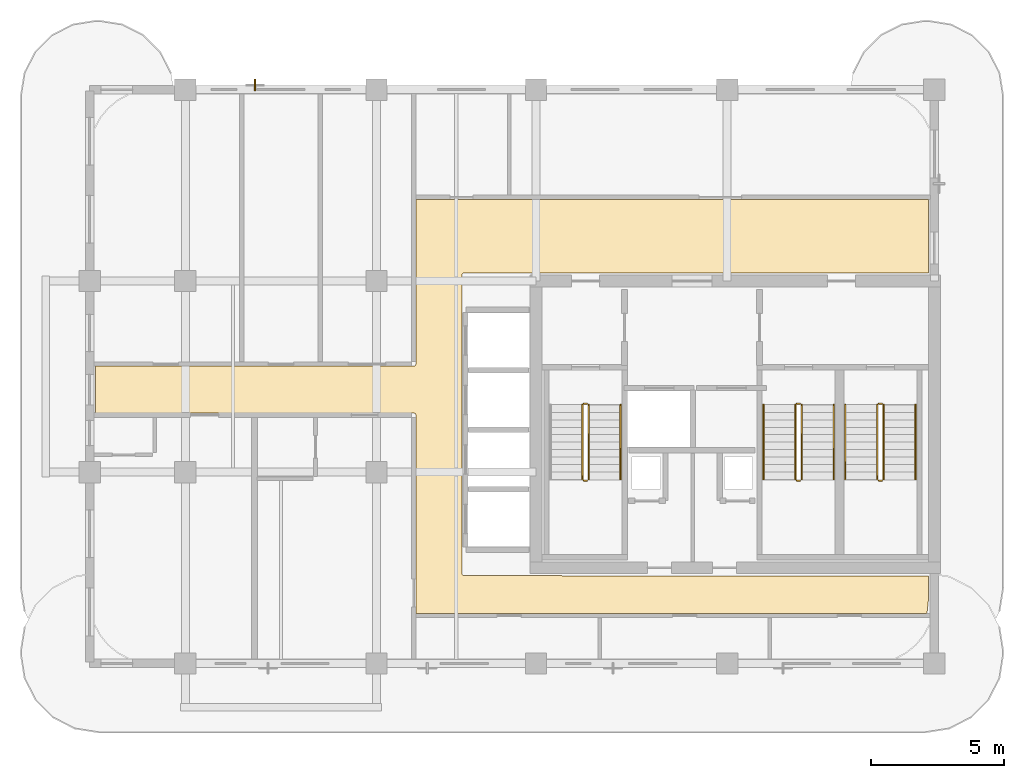
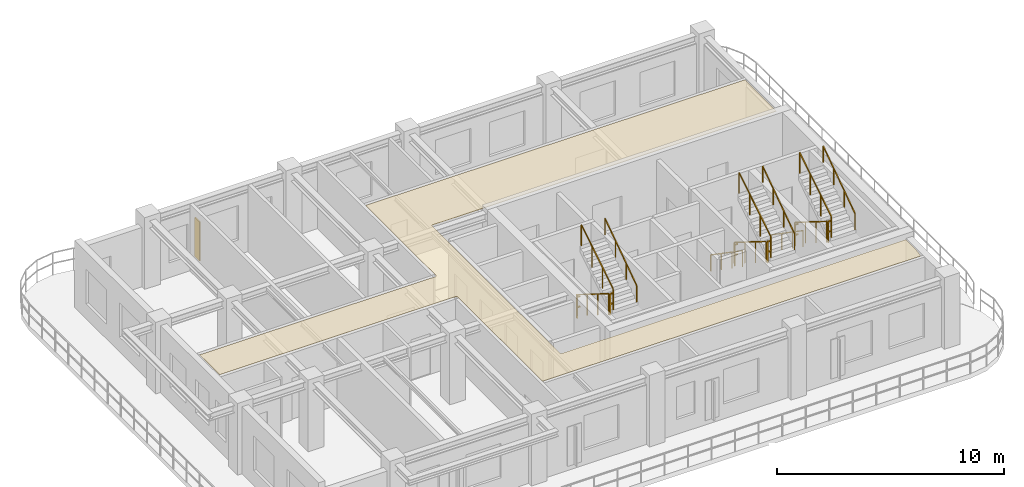
# One storey, part 7 of 8: 17 railings, 1 covering, 1 shading device.
"""IFC4 building model written with IfcOpenShell, lengths in metres."""

from ifc_helpers import new_model, si_unit, derived_unit, direction, frame, origin, origin_2d, place, context, subcontext, project, spatial, polyline, rectangle, outline, extrude, source, transform, mapped, material, layer, layer_set, type_object, type_shapes, element, save


model = new_model("IFC4")

# Units and contexts
model_context = context("Model", 3, precision=1e-05, world=origin(), true_north=direction((0.0, 1.0)))
body_context = subcontext(model_context, "Body", "Model", "MODEL_VIEW")
ifc_project = project(units=[si_unit("LENGTHUNIT", "METRE"), si_unit("AREAUNIT", "SQUARE_METRE"), si_unit("VOLUMEUNIT", "CUBIC_METRE"), si_unit("PLANEANGLEUNIT", "RADIAN"), si_unit("MASSUNIT", "GRAM", prefix="KILO"), si_unit("THERMODYNAMICTEMPERATUREUNIT", "KELVIN"), si_unit("POWERUNIT", "WATT"), derived_unit("THERMALTRANSMITTANCEUNIT", [(si_unit("POWERUNIT", "WATT"), 1), (si_unit("AREAUNIT", "SQUARE_METRE"), -1), (si_unit("THERMODYNAMICTEMPERATUREUNIT", "KELVIN"), -1)])], contexts=[model_context])

# Site, building, storey
site_placement = place(None, origin())
site = spatial("IfcSite", under=ifc_project, at=site_placement, CompositionType="ELEMENT")
building_placement = place(site_placement, origin())
building = spatial("IfcBuilding", under=site, at=building_placement, Name="Zahravan Archway Hotel and Residences", CompositionType="ELEMENT")
storey_placement = place(building_placement, frame((0.0, 0.0, 263.5)))
storey = spatial("IfcBuildingStorey", under=building, at=storey_placement, Name="L66", CompositionType="ELEMENT", Elevation=263.5)

# Covering
ifc_material_1 = material(Name="Perforated Acoustic Gypsum Ceiling")
ifc_layer_1 = layer(ifc_material_1, 0.02490234375, Name="Perforated Acoustic Gypsum Ceiling")
ifc_layer_set_1 = layer_set([ifc_layer_1], Name="Perforated Acoustic Gypsum Ceiling")
covering_type = type_object("IfcCoveringType", Name="COV-CEIL-ACST", PredefinedType="CEILING", material=ifc_layer_set_1)
covering_placement = place(storey_placement, frame((0.0, 0.0, 3.574951171875)))
element("IfcCovering", 1, at=covering_placement, inside=storey, type_object=covering_type, Name="L66 Acoustic Corridor Ceiling", PredefinedType="CEILING", context=body_context, shape_type="SweptSolid", body=[
    extrude(outline(polyline([(30.215576171875, 11.19140625), (30.256591796875, 11.21337890625), (30.278564453125, 11.25439453125), (30.280029296875, 17.469970703125), (49.580078125, 17.469970703125), (49.580078125, 14.705078125), (32.10009765625, 14.705078125), (32.0556640625, 14.69140625), (32.026123046875, 14.655517578125), (32.02001953125, 3.375), (32.033447265625, 3.33056640625), (32.0693359375, 3.301025390625), (49.580078125, 3.294921875), (49.580078125, 2.410888671875), (49.537109375, 1.974853515625), (49.50830078125, 1.8798828125), (30.280029296875, 1.8798828125), (30.280029296875, 9.35009765625), (30.2666015625, 9.394287109375), (30.230712890625, 9.423828125), (18.219970703125, 9.429931640625), (18.219970703125, 11.18994140625), (30.199951171875, 11.18994140625), (30.215576171875, 11.19140625)])), origin(), (0.0, 0.0, 1.0), 0.025146484375),
])

# Railings
ifc_material_2 = material(Name="Painted Tubular Steel", Category="steel")
railing_type_1 = type_object("IfcRailingType", Name="RL-STG-1150", PredefinedType="GUARDRAIL", material=ifc_material_2)
railing_1_placement = place(storey_placement, frame((36.550048828125, 9.72998046875, 0.175048828125)))
element("IfcRailing", 2, at=railing_1_placement, inside=storey, type_object=railing_type_1, Name="L66 ST-A1 stair guard 1", PredefinedType="GUARDRAIL", context=body_context, shape_type="SweptSolid", body=[
    extrude(rectangle(XDim=0.048095703125, YDim=0.048095703125, at=origin_2d()), frame((0.0, 0.0, 1.1259765625), z_axis=(0.0, -0.848002457836, 0.529992293815), x_axis=(1.0, 0.0, 0.0)), (0.0, 0.0, 1.0), 3.302001953125),
    extrude(rectangle(XDim=0.0419921875, YDim=0.0419921875, at=origin_2d()), origin(), (0.0, 0.0, 1.0), 1.101806640625),
    extrude(rectangle(XDim=0.0419921875, YDim=0.0419921875, at=origin_2d()), frame((0.0, -0.933349609375, 0.583251953125)), (0.0, 0.0, 1.0), 1.101806640625),
    extrude(rectangle(XDim=0.0419921875, YDim=0.0419921875, at=origin_2d()), frame((0.0, -1.86669921875, 1.166748046875)), (0.0, 0.0, 1.0), 1.101806640625),
    extrude(rectangle(XDim=0.0419921875, YDim=0.0419921875, at=origin_2d()), frame((0.0, -2.800048828125, 1.75)), (0.0, 0.0, 1.0), 1.101806640625),
])
railing_2_placement = place(storey_placement, frame((36.60009765625, 6.8798828125, 1.925048828125)))
element("IfcRailing", 3, at=railing_2_placement, inside=storey, type_object=railing_type_1, Name="L66 ST-A1 stair guard 2", PredefinedType="GUARDRAIL", context=body_context, shape_type="SweptSolid", body=[
    extrude(rectangle(XDim=0.048095703125, YDim=0.048095703125, at=origin_2d()), frame((0.0, 0.0, 1.1259765625), z_axis=(1.0, 0.0, 0.0), x_axis=(0.0, 1.0, 0.0)), (0.0, 0.0, 1.0), 0.139892578125),
    extrude(rectangle(XDim=0.048095703125, YDim=0.048095703125, at=origin_2d()), frame((0.0, 0.0, 0.574951171875), z_axis=(1.0, 0.0, 0.0), x_axis=(0.0, 1.0, 0.0)), (0.0, 0.0, 1.0), 0.139892578125),
    extrude(rectangle(XDim=0.0419921875, YDim=0.0419921875, at=origin_2d()), origin(), (0.0, 0.0, 1.0), 1.101806640625),
])
railing_3_placement = place(storey_placement, frame((36.7900390625, 6.929931640625, 2.10009765625)))
element("IfcRailing", 4, at=railing_3_placement, inside=storey, type_object=railing_type_1, Name="L66 ST-A1 stair guard 3", PredefinedType="GUARDRAIL", context=body_context, shape_type="SweptSolid", body=[
    extrude(rectangle(XDim=0.048095703125, YDim=0.048095703125, at=origin_2d()), frame((0.0, 0.0, 1.1259765625), z_axis=(0.0, 0.848002457836, 0.529992293815), x_axis=(-1.0, 0.0, 0.0)), (0.0, 0.0, 1.0), 3.302001953125),
    extrude(rectangle(XDim=0.0419921875, YDim=0.0419921875, at=origin_2d()), origin(), (0.0, 0.0, 1.0), 1.101806640625),
    extrude(rectangle(XDim=0.0419921875, YDim=0.0419921875, at=origin_2d()), frame((0.0, 0.933349609375, 0.583251953125)), (0.0, 0.0, 1.0), 1.101806640625),
    extrude(rectangle(XDim=0.0419921875, YDim=0.0419921875, at=origin_2d()), frame((0.0, 1.86669921875, 1.166748046875)), (0.0, 0.0, 1.0), 1.101806640625),
    extrude(rectangle(XDim=0.0419921875, YDim=0.0419921875, at=origin_2d()), frame((0.0, 2.800048828125, 1.75)), (0.0, 0.0, 1.0), 1.101806640625),
])
railing_4_placement = place(storey_placement, frame((36.60009765625, 9.780029296875, 0.0)))
element("IfcRailing", 5, at=railing_4_placement, inside=storey, type_object=railing_type_1, Name="L66 ST-A1 stair guard 4", PredefinedType="GUARDRAIL", context=body_context, shape_type="SweptSolid", body=[
    extrude(rectangle(XDim=0.048095703125, YDim=0.048095703125, at=origin_2d()), frame((0.0, 0.0, 1.1259765625), z_axis=(1.0, 0.0, 0.0), x_axis=(0.0, 1.0, 0.0)), (0.0, 0.0, 1.0), 0.139892578125),
    extrude(rectangle(XDim=0.048095703125, YDim=0.048095703125, at=origin_2d()), frame((0.0, 0.0, 0.574951171875), z_axis=(1.0, 0.0, 0.0), x_axis=(0.0, 1.0, 0.0)), (0.0, 0.0, 1.0), 0.139892578125),
    extrude(rectangle(XDim=0.0419921875, YDim=0.0419921875, at=origin_2d()), origin(), (0.0, 0.0, 1.0), 1.101806640625),
])
railing_5_placement = place(storey_placement, frame((44.570068359375, 9.72998046875, 0.175048828125)))
element("IfcRailing", 6, at=railing_5_placement, inside=storey, type_object=railing_type_1, Name="L66 ST-A2 stair guard 1", PredefinedType="GUARDRAIL", context=body_context, shape_type="SweptSolid", body=[
    extrude(rectangle(XDim=0.048095703125, YDim=0.048095703125, at=origin_2d()), frame((0.0, 0.0, 1.1259765625), z_axis=(0.0, -0.848002457836, 0.529992293815), x_axis=(1.0, 0.0, 0.0)), (0.0, 0.0, 1.0), 3.302001953125),
    extrude(rectangle(XDim=0.0419921875, YDim=0.0419921875, at=origin_2d()), origin(), (0.0, 0.0, 1.0), 1.101806640625),
    extrude(rectangle(XDim=0.0419921875, YDim=0.0419921875, at=origin_2d()), frame((0.0, -0.933349609375, 0.583251953125)), (0.0, 0.0, 1.0), 1.101806640625),
    extrude(rectangle(XDim=0.0419921875, YDim=0.0419921875, at=origin_2d()), frame((0.0, -1.86669921875, 1.166748046875)), (0.0, 0.0, 1.0), 1.101806640625),
    extrude(rectangle(XDim=0.0419921875, YDim=0.0419921875, at=origin_2d()), frame((0.0, -2.800048828125, 1.75)), (0.0, 0.0, 1.0), 1.101806640625),
])
railing_6_placement = place(storey_placement, frame((44.6201171875, 6.8798828125, 1.925048828125)))
element("IfcRailing", 7, at=railing_6_placement, inside=storey, type_object=railing_type_1, Name="L66 ST-A2 stair guard 2", PredefinedType="GUARDRAIL", context=body_context, shape_type="SweptSolid", body=[
    extrude(rectangle(XDim=0.048095703125, YDim=0.048095703125, at=origin_2d()), frame((0.0, 0.0, 1.1259765625), z_axis=(1.0, 0.0, 0.0), x_axis=(0.0, 1.0, 0.0)), (0.0, 0.0, 1.0), 0.139892578125),
    extrude(rectangle(XDim=0.048095703125, YDim=0.048095703125, at=origin_2d()), frame((0.0, 0.0, 0.574951171875), z_axis=(1.0, 0.0, 0.0), x_axis=(0.0, 1.0, 0.0)), (0.0, 0.0, 1.0), 0.139892578125),
    extrude(rectangle(XDim=0.0419921875, YDim=0.0419921875, at=origin_2d()), origin(), (0.0, 0.0, 1.0), 1.101806640625),
])
railing_7_placement = place(storey_placement, frame((44.81005859375, 6.929931640625, 2.10009765625)))
element("IfcRailing", 8, at=railing_7_placement, inside=storey, type_object=railing_type_1, Name="L66 ST-A2 stair guard 3", PredefinedType="GUARDRAIL", context=body_context, shape_type="SweptSolid", body=[
    extrude(rectangle(XDim=0.048095703125, YDim=0.048095703125, at=origin_2d()), frame((0.0, 0.0, 1.1259765625), z_axis=(0.0, 0.848002457836, 0.529992293815), x_axis=(-1.0, 0.0, 0.0)), (0.0, 0.0, 1.0), 3.302001953125),
    extrude(rectangle(XDim=0.0419921875, YDim=0.0419921875, at=origin_2d()), origin(), (0.0, 0.0, 1.0), 1.101806640625),
    extrude(rectangle(XDim=0.0419921875, YDim=0.0419921875, at=origin_2d()), frame((0.0, 0.933349609375, 0.583251953125)), (0.0, 0.0, 1.0), 1.101806640625),
    extrude(rectangle(XDim=0.0419921875, YDim=0.0419921875, at=origin_2d()), frame((0.0, 1.86669921875, 1.166748046875)), (0.0, 0.0, 1.0), 1.101806640625),
    extrude(rectangle(XDim=0.0419921875, YDim=0.0419921875, at=origin_2d()), frame((0.0, 2.800048828125, 1.75)), (0.0, 0.0, 1.0), 1.101806640625),
])
railing_8_placement = place(storey_placement, frame((44.6201171875, 9.780029296875, 0.0)))
element("IfcRailing", 9, at=railing_8_placement, inside=storey, type_object=railing_type_1, Name="L66 ST-A2 stair guard 4", PredefinedType="GUARDRAIL", context=body_context, shape_type="SweptSolid", body=[
    extrude(rectangle(XDim=0.048095703125, YDim=0.048095703125, at=origin_2d()), frame((0.0, 0.0, 1.1259765625), z_axis=(1.0, 0.0, 0.0), x_axis=(0.0, 1.0, 0.0)), (0.0, 0.0, 1.0), 0.139892578125),
    extrude(rectangle(XDim=0.048095703125, YDim=0.048095703125, at=origin_2d()), frame((0.0, 0.0, 0.574951171875), z_axis=(1.0, 0.0, 0.0), x_axis=(0.0, 1.0, 0.0)), (0.0, 0.0, 1.0), 0.139892578125),
    extrude(rectangle(XDim=0.0419921875, YDim=0.0419921875, at=origin_2d()), origin(), (0.0, 0.0, 1.0), 1.101806640625),
])
railing_9_placement = place(storey_placement, frame((47.64990234375, 9.72998046875, 0.175048828125)))
element("IfcRailing", 10, at=railing_9_placement, inside=storey, type_object=railing_type_1, Name="L66 ST-A3 stair guard 1", PredefinedType="GUARDRAIL", context=body_context, shape_type="SweptSolid", body=[
    extrude(rectangle(XDim=0.048095703125, YDim=0.048095703125, at=origin_2d()), frame((0.0, 0.0, 1.1259765625), z_axis=(0.0, -0.848002457836, 0.529992293815), x_axis=(1.0, 0.0, 0.0)), (0.0, 0.0, 1.0), 3.302001953125),
    extrude(rectangle(XDim=0.0419921875, YDim=0.0419921875, at=origin_2d()), origin(), (0.0, 0.0, 1.0), 1.101806640625),
    extrude(rectangle(XDim=0.0419921875, YDim=0.0419921875, at=origin_2d()), frame((0.0, -0.933349609375, 0.583251953125)), (0.0, 0.0, 1.0), 1.101806640625),
    extrude(rectangle(XDim=0.0419921875, YDim=0.0419921875, at=origin_2d()), frame((0.0, -1.86669921875, 1.166748046875)), (0.0, 0.0, 1.0), 1.101806640625),
    extrude(rectangle(XDim=0.0419921875, YDim=0.0419921875, at=origin_2d()), frame((0.0, -2.800048828125, 1.75)), (0.0, 0.0, 1.0), 1.101806640625),
])
railing_10_placement = place(storey_placement, frame((47.699951171875, 6.8798828125, 1.925048828125)))
element("IfcRailing", 11, at=railing_10_placement, inside=storey, type_object=railing_type_1, Name="L66 ST-A3 stair guard 2", PredefinedType="GUARDRAIL", context=body_context, shape_type="SweptSolid", body=[
    extrude(rectangle(XDim=0.048095703125, YDim=0.048095703125, at=origin_2d()), frame((0.0, 0.0, 1.1259765625), z_axis=(1.0, 0.0, 0.0), x_axis=(0.0, 1.0, 0.0)), (0.0, 0.0, 1.0), 0.14013671875),
    extrude(rectangle(XDim=0.048095703125, YDim=0.048095703125, at=origin_2d()), frame((0.0, 0.0, 0.574951171875), z_axis=(1.0, 0.0, 0.0), x_axis=(0.0, 1.0, 0.0)), (0.0, 0.0, 1.0), 0.14013671875),
    extrude(rectangle(XDim=0.0419921875, YDim=0.0419921875, at=origin_2d()), origin(), (0.0, 0.0, 1.0), 1.101806640625),
])
railing_11_placement = place(storey_placement, frame((47.889892578125, 6.929931640625, 2.10009765625)))
element("IfcRailing", 12, at=railing_11_placement, inside=storey, type_object=railing_type_1, Name="L66 ST-A3 stair guard 3", PredefinedType="GUARDRAIL", context=body_context, shape_type="SweptSolid", body=[
    extrude(rectangle(XDim=0.048095703125, YDim=0.048095703125, at=origin_2d()), frame((0.0, 0.0, 1.1259765625), z_axis=(0.0, 0.848002457836, 0.529992293815), x_axis=(-1.0, 0.0, 0.0)), (0.0, 0.0, 1.0), 3.302001953125),
    extrude(rectangle(XDim=0.0419921875, YDim=0.0419921875, at=origin_2d()), origin(), (0.0, 0.0, 1.0), 1.101806640625),
    extrude(rectangle(XDim=0.0419921875, YDim=0.0419921875, at=origin_2d()), frame((0.0, 0.933349609375, 0.583251953125)), (0.0, 0.0, 1.0), 1.101806640625),
    extrude(rectangle(XDim=0.0419921875, YDim=0.0419921875, at=origin_2d()), frame((0.0, 1.86669921875, 1.166748046875)), (0.0, 0.0, 1.0), 1.101806640625),
    extrude(rectangle(XDim=0.0419921875, YDim=0.0419921875, at=origin_2d()), frame((0.0, 2.800048828125, 1.75)), (0.0, 0.0, 1.0), 1.101806640625),
])
railing_12_placement = place(storey_placement, frame((47.699951171875, 9.780029296875, 0.0)))
element("IfcRailing", 13, at=railing_12_placement, inside=storey, type_object=railing_type_1, Name="L66 ST-A3 stair guard 4", PredefinedType="GUARDRAIL", context=body_context, shape_type="SweptSolid", body=[
    extrude(rectangle(XDim=0.048095703125, YDim=0.048095703125, at=origin_2d()), frame((0.0, 0.0, 1.1259765625), z_axis=(1.0, 0.0, 0.0), x_axis=(0.0, 1.0, 0.0)), (0.0, 0.0, 1.0), 0.14013671875),
    extrude(rectangle(XDim=0.048095703125, YDim=0.048095703125, at=origin_2d()), frame((0.0, 0.0, 0.574951171875), z_axis=(1.0, 0.0, 0.0), x_axis=(0.0, 1.0, 0.0)), (0.0, 0.0, 1.0), 0.14013671875),
    extrude(rectangle(XDim=0.0419921875, YDim=0.0419921875, at=origin_2d()), origin(), (0.0, 0.0, 1.0), 1.101806640625),
])
ifc_material_3 = material(Name="Brushed Stainless Steel", Category="steel")
railing_type_2 = type_object("IfcRailingType", Name="RL-STH-900", PredefinedType="HANDRAIL", material=ifc_material_3)
railing_13_placement = place(storey_placement, frame((37.989990234375, 6.929931640625, 2.10009765625)))
element("IfcRailing", 14, at=railing_13_placement, inside=storey, type_object=railing_type_2, Name="L66 ST-A1 stair handrail 2", PredefinedType="HANDRAIL", context=body_context, shape_type="SweptSolid", body=[
    extrude(rectangle(XDim=0.048095703125, YDim=0.048095703125, at=origin_2d()), frame((0.0, 0.0, 0.8759765625), z_axis=(0.0, 0.824073370198, 0.566483080534), x_axis=(-1.0, 0.0, 0.0)), (0.0, 0.0, 1.0), 3.397705078125),
    extrude(rectangle(XDim=0.0419921875, YDim=0.0419921875, at=origin_2d()), origin(), (0.0, 0.0, 1.0), 0.851806640625),
    extrude(rectangle(XDim=0.0419921875, YDim=0.0419921875, at=origin_2d()), frame((0.0, 0.933349609375, 0.6416015625)), (0.0, 0.0, 1.0), 0.851806640625),
    extrude(rectangle(XDim=0.0419921875, YDim=0.0419921875, at=origin_2d()), frame((0.0, 1.86669921875, 1.283203125)), (0.0, 0.0, 1.0), 0.851806640625),
    extrude(rectangle(XDim=0.0419921875, YDim=0.0419921875, at=origin_2d()), frame((0.0, 2.800048828125, 1.9248046875)), (0.0, 0.0, 1.0), 0.851806640625),
])
railing_14_placement = place(storey_placement, frame((43.3701171875, 9.72998046875, 0.175048828125)))
element("IfcRailing", 15, at=railing_14_placement, inside=storey, type_object=railing_type_2, Name="L66 ST-A2 stair handrail 1", PredefinedType="HANDRAIL", context=body_context, shape_type="SweptSolid", body=[
    extrude(rectangle(XDim=0.048095703125, YDim=0.048095703125, at=origin_2d()), frame((0.0, 0.0, 0.8759765625), z_axis=(0.0, -0.824039827795, 0.566531872191), x_axis=(1.0, 0.0, 0.0)), (0.0, 0.0, 1.0), 3.39794921875),
    extrude(rectangle(XDim=0.0419921875, YDim=0.0419921875, at=origin_2d()), origin(), (0.0, 0.0, 1.0), 0.851806640625),
    extrude(rectangle(XDim=0.0419921875, YDim=0.0419921875, at=origin_2d()), frame((0.0, -0.933349609375, 0.6416015625)), (0.0, 0.0, 1.0), 0.851806640625),
    extrude(rectangle(XDim=0.0419921875, YDim=0.0419921875, at=origin_2d()), frame((0.0, -1.86669921875, 1.283447265625)), (0.0, 0.0, 1.0), 0.851806640625),
    extrude(rectangle(XDim=0.0419921875, YDim=0.0419921875, at=origin_2d()), frame((0.0, -2.800048828125, 1.925048828125)), (0.0, 0.0, 1.0), 0.851806640625),
])
railing_15_placement = place(storey_placement, frame((46.010009765625, 6.929931640625, 2.10009765625)))
element("IfcRailing", 16, at=railing_15_placement, inside=storey, type_object=railing_type_2, Name="L66 ST-A2 stair handrail 2", PredefinedType="HANDRAIL", context=body_context, shape_type="SweptSolid", body=[
    extrude(rectangle(XDim=0.048095703125, YDim=0.048095703125, at=origin_2d()), frame((0.0, 0.0, 0.8759765625), z_axis=(0.0, 0.824073370198, 0.566483080534), x_axis=(-1.0, 0.0, 0.0)), (0.0, 0.0, 1.0), 3.397705078125),
    extrude(rectangle(XDim=0.0419921875, YDim=0.0419921875, at=origin_2d()), origin(), (0.0, 0.0, 1.0), 0.851806640625),
    extrude(rectangle(XDim=0.0419921875, YDim=0.0419921875, at=origin_2d()), frame((0.0, 0.933349609375, 0.6416015625)), (0.0, 0.0, 1.0), 0.851806640625),
    extrude(rectangle(XDim=0.0419921875, YDim=0.0419921875, at=origin_2d()), frame((0.0, 1.86669921875, 1.283203125)), (0.0, 0.0, 1.0), 0.851806640625),
    extrude(rectangle(XDim=0.0419921875, YDim=0.0419921875, at=origin_2d()), frame((0.0, 2.800048828125, 1.9248046875)), (0.0, 0.0, 1.0), 0.851806640625),
])
railing_16_placement = place(storey_placement, frame((46.449951171875, 9.72998046875, 0.175048828125)))
element("IfcRailing", 17, at=railing_16_placement, inside=storey, type_object=railing_type_2, Name="L66 ST-A3 stair handrail 1", PredefinedType="HANDRAIL", context=body_context, shape_type="SweptSolid", body=[
    extrude(rectangle(XDim=0.048095703125, YDim=0.048095703125, at=origin_2d()), frame((0.0, 0.0, 0.8759765625), z_axis=(0.0, -0.824039827795, 0.566531872191), x_axis=(1.0, 0.0, 0.0)), (0.0, 0.0, 1.0), 3.39794921875),
    extrude(rectangle(XDim=0.0419921875, YDim=0.0419921875, at=origin_2d()), origin(), (0.0, 0.0, 1.0), 0.851806640625),
    extrude(rectangle(XDim=0.0419921875, YDim=0.0419921875, at=origin_2d()), frame((0.0, -0.933349609375, 0.6416015625)), (0.0, 0.0, 1.0), 0.851806640625),
    extrude(rectangle(XDim=0.0419921875, YDim=0.0419921875, at=origin_2d()), frame((0.0, -1.86669921875, 1.283447265625)), (0.0, 0.0, 1.0), 0.851806640625),
    extrude(rectangle(XDim=0.0419921875, YDim=0.0419921875, at=origin_2d()), frame((0.0, -2.800048828125, 1.925048828125)), (0.0, 0.0, 1.0), 0.851806640625),
])
railing_17_placement = place(storey_placement, frame((49.090087890625, 6.929931640625, 2.10009765625)))
element("IfcRailing", 18, at=railing_17_placement, inside=storey, type_object=railing_type_2, Name="L66 ST-A3 stair handrail 2", PredefinedType="HANDRAIL", context=body_context, shape_type="SweptSolid", body=[
    extrude(rectangle(XDim=0.048095703125, YDim=0.048095703125, at=origin_2d()), frame((0.0, 0.0, 0.8759765625), z_axis=(0.0, 0.824073370198, 0.566483080534), x_axis=(-1.0, 0.0, 0.0)), (0.0, 0.0, 1.0), 3.397705078125),
    extrude(rectangle(XDim=0.0419921875, YDim=0.0419921875, at=origin_2d()), origin(), (0.0, 0.0, 1.0), 0.851806640625),
    extrude(rectangle(XDim=0.0419921875, YDim=0.0419921875, at=origin_2d()), frame((0.0, 0.933349609375, 0.6416015625)), (0.0, 0.0, 1.0), 0.851806640625),
    extrude(rectangle(XDim=0.0419921875, YDim=0.0419921875, at=origin_2d()), frame((0.0, 1.86669921875, 1.283203125)), (0.0, 0.0, 1.0), 0.851806640625),
    extrude(rectangle(XDim=0.0419921875, YDim=0.0419921875, at=origin_2d()), frame((0.0, 2.800048828125, 1.9248046875)), (0.0, 0.0, 1.0), 0.851806640625),
])

# Shading device
ifc_material_4 = material(Name="Terracotta & Bronze Solar Brise-Soleil", Category="masonry")
ifc_layer_2 = layer(ifc_material_4, 0.06005859375, Name="Terracotta & Bronze Solar Brise-Soleil", Category="masonry")
ifc_layer_set_2 = layer_set([ifc_layer_2], Name="Terracotta & Bronze Solar Brise-Soleil")
shading_device_type = type_object("IfcShadingDeviceType", Name="SHD-MASH-FIN", PredefinedType="JALOUSIE", material=ifc_layer_set_2)
shared_shape = source(origin(), body_context, "Body", "SweptSolid", [
    extrude(rectangle(XDim=0.06005859375, YDim=0.419921875, at=origin_2d()), origin(), (0.0, 0.0, 1.0), 2.10009765625),
])
type_shapes(shading_device_type, [shared_shape])
shading_device_placement = place(storey_placement, frame((24.22802734375, 21.778076171875, 0.25), z_axis=(0.0, 0.0, 1.0), x_axis=(1.0, 0.0, 0.0)))
element("IfcShadingDevice", 19, at=shading_device_placement, inside=storey, type_object=shading_device_type, Name="L66 Solar Mashrabiya Fin 06", PredefinedType="JALOUSIE", context=body_context, shape_type="MappedRepresentation", body=[
    mapped(shared_shape, transform((0.0, 0.0, 0.0), scale=1.0)),
])

save(model, "model.ifc")
